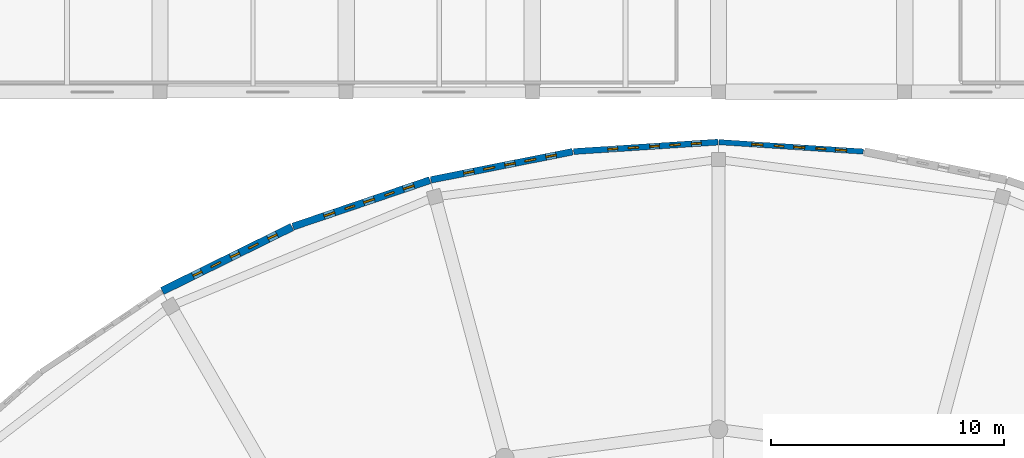
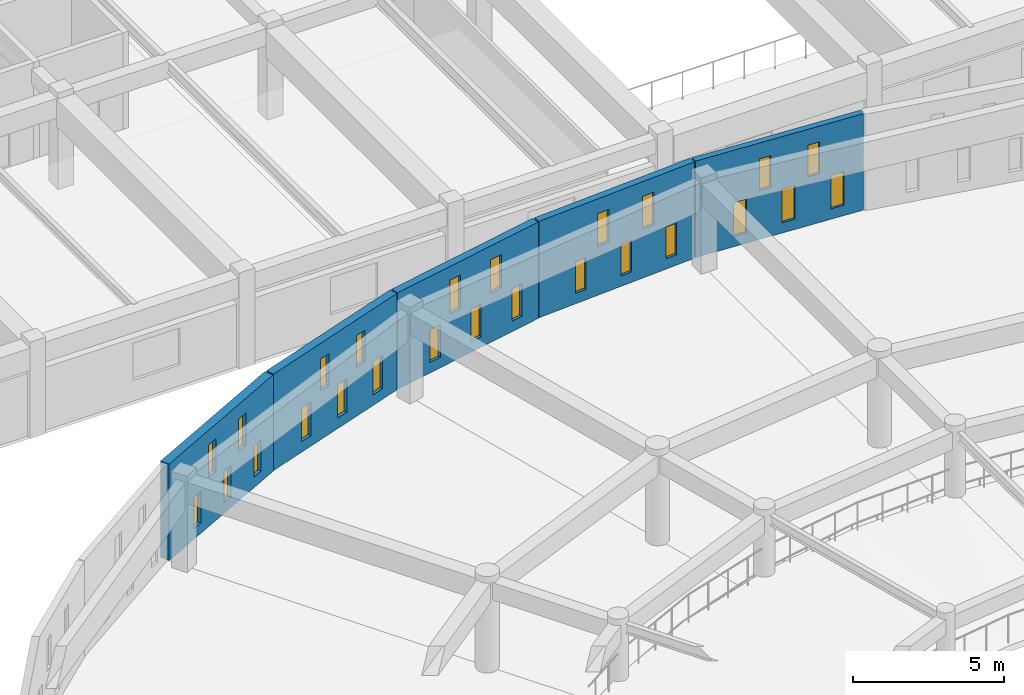
# One storey, part 64 of 98: 25 windows, 5 walls, 25 openings.
"""IFC4 building model written with IfcOpenShell, lengths in metres."""

from ifc_helpers import new_model, si_unit, direction, frame, frame_2d, origin, place, context, subcontext, project, spatial, rectangle, extrude, material, layer, layer_set, type_object, element, fill, save


model = new_model("IFC4")

# Units and contexts
model_context = context("Model", 3, precision=1e-05, world=origin(), true_north=direction((0.0, 1.0)))
body_context = subcontext(model_context, "Body", "Model", "MODEL_VIEW")
ifc_project = project(units=[si_unit("LENGTHUNIT", "METRE"), si_unit("AREAUNIT", "SQUARE_METRE"), si_unit("VOLUMEUNIT", "CUBIC_METRE"), si_unit("PLANEANGLEUNIT", "RADIAN"), si_unit("MASSUNIT", "GRAM", prefix="KILO")], contexts=[model_context])

# Site, building, storey
site_placement = place(None, origin())
site = spatial("IfcSite", under=ifc_project, at=site_placement, CompositionType="ELEMENT")
building_placement = place(site_placement, origin())
building = spatial("IfcBuilding", under=site, at=building_placement, Name="Larkveld Mobility Hub", CompositionType="ELEMENT")
storey_placement = place(building_placement, frame((0.0, 0.0, 4.5)))
storey = spatial("IfcBuildingStorey", under=building, at=storey_placement, Name="L01", CompositionType="ELEMENT", Elevation=4.5)

# Wall, openings, windows
ifc_material_1 = material(Name="Fired clay brick 25 MPa", Category="masonry")
ifc_layer_1 = layer(ifc_material_1, 0.22998046875, Name="Fired clay brick 25 MPa", Category="masonry")
ifc_layer_set_1 = layer_set([ifc_layer_1], Name="Fired clay brick 25 MPa")
wall_type_1 = type_object("IfcWallType", Name="WL-BRK-230", PredefinedType="USERDEFINED", material=ifc_layer_set_1)
wall_1_placement = place(storey_placement, frame((54.221923828125, 95.443115234375, 0.0), z_axis=(0.0, 0.0, 1.0), x_axis=(-0.997874164219, 0.065170180182, 0.0)))
wall_1 = element("IfcWall", 1, at=wall_1_placement, inside=storey, type_object=wall_type_1, Name="Drum Woven Open-Bond Brick Chord L01-0056", ObjectType="PERFORATED BRICK SCREEN", PredefinedType="USERDEFINED", context=body_context, shape_type="SweptSolid", body=[
    extrude(rectangle(XDim=6.211181640625, YDim=0.22998046875, at=frame_2d((3.10546875, 0.0))), origin(), (0.0, 0.0, 1.0), 3.89990234375),
])
opening_1_placement = place(wall_1_placement, frame((0.719970703125, 0.0, 0.419921875)))
opening_1 = element("IfcOpeningElement", 2, at=opening_1_placement, cuts=wall_1, Name="Opening W03", PredefinedType="OPENING", context=body_context, shape_type="SweptSolid", body=[
    extrude(rectangle(XDim=0.47998046875, YDim=1.360107421875, at=frame_2d((0.239990234375, 0.68017578125))), frame((0.0, 0.125, 0.0), z_axis=(0.0, -1.0, 0.0), x_axis=(1.0, 0.0, 0.0)), (0.0, 0.0, 1.0), 0.25),
])
opening_2_placement = place(wall_1_placement, frame((2.52001953125, 0.0, 0.419921875)))
opening_2 = element("IfcOpeningElement", 3, at=opening_2_placement, cuts=wall_1, Name="Opening W03", PredefinedType="OPENING", context=body_context, shape_type="SweptSolid", body=[
    extrude(rectangle(XDim=0.47998046875, YDim=1.360107421875, at=frame_2d((0.239990234375, 0.68017578125))), frame((0.0, 0.125, 0.0), z_axis=(0.0, -1.0, 0.0), x_axis=(1.0, 0.0, 0.0)), (0.0, 0.0, 1.0), 0.25),
])
opening_3_placement = place(wall_1_placement, frame((4.320068359375, 0.0, 0.419921875)))
opening_3 = element("IfcOpeningElement", 4, at=opening_3_placement, cuts=wall_1, Name="Opening W03", PredefinedType="OPENING", context=body_context, shape_type="SweptSolid", body=[
    extrude(rectangle(XDim=0.47998046875, YDim=1.360107421875, at=frame_2d((0.239990234375, 0.68017578125))), frame((0.0, 0.125, 0.0), z_axis=(0.0, -1.0, 0.0), x_axis=(1.0, 0.0, 0.0)), (0.0, 0.0, 1.0), 0.25),
])
opening_4_placement = place(wall_1_placement, frame((1.6201171875, 0.0, 1.97998046875)))
opening_4 = element("IfcOpeningElement", 5, at=opening_4_placement, cuts=wall_1, Name="Opening W01", PredefinedType="OPENING", context=body_context, shape_type="SweptSolid", body=[
    extrude(rectangle(XDim=0.419921875, YDim=1.280029296875, at=frame_2d((0.2099609375, 0.64013671875))), frame((0.0, 0.125, 0.0), z_axis=(0.0, -1.0, 0.0), x_axis=(1.0, 0.0, 0.0)), (0.0, 0.0, 1.0), 0.25),
])
opening_5_placement = place(wall_1_placement, frame((3.419921875, 0.0, 1.97998046875)))
opening_5 = element("IfcOpeningElement", 6, at=opening_5_placement, cuts=wall_1, Name="Opening W01", PredefinedType="OPENING", context=body_context, shape_type="SweptSolid", body=[
    extrude(rectangle(XDim=0.419921875, YDim=1.280029296875, at=frame_2d((0.2099609375, 0.64013671875))), frame((0.0, 0.125, 0.0), z_axis=(0.0, -1.0, 0.0), x_axis=(1.0, 0.0, 0.0)), (0.0, 0.0, 1.0), 0.25),
])
ifc_material_2 = material(Name="Extruded aluminium ventilation grille", Category="aluminium")
window_type_1 = type_object("IfcWindowType", Name="WN-VENT-01", PartitioningType="SINGLE_PANEL", PredefinedType="WINDOW", material=ifc_material_2)
window_1_placement = place(opening_4_placement, origin())
window_1 = element("IfcWindow", 7, at=window_1_placement, inside=storey, type_object=window_type_1, Name="Window W01 (0269)", OverallHeight=1.280029296875, OverallWidth=0.419921875, PartitioningType="SINGLE_PANEL", PredefinedType="WINDOW", context=body_context, shape_type="SweptSolid", body=[
    extrude(rectangle(XDim=0.419921875, YDim=1.280029296875, at=frame_2d((0.2099609375, 0.64013671875))), frame((0.0, 0.030029296875, 0.0), z_axis=(0.0, -1.0, 0.0), x_axis=(1.0, 0.0, 0.0)), (0.0, 0.0, 1.0), 0.06005859375),
])
fill(opening_4, window_1)
window_2_placement = place(opening_5_placement, origin())
window_2 = element("IfcWindow", 8, at=window_2_placement, inside=storey, type_object=window_type_1, Name="Window W01 (0270)", OverallHeight=1.280029296875, OverallWidth=0.419921875, PartitioningType="SINGLE_PANEL", PredefinedType="WINDOW", context=body_context, shape_type="SweptSolid", body=[
    extrude(rectangle(XDim=0.419921875, YDim=1.280029296875, at=frame_2d((0.2099609375, 0.64013671875))), frame((0.0, 0.030029296875, 0.0), z_axis=(0.0, -1.0, 0.0), x_axis=(1.0, 0.0, 0.0)), (0.0, 0.0, 1.0), 0.06005859375),
])
fill(opening_5, window_2)
window_type_2 = type_object("IfcWindowType", Name="WN-VENT-03", PartitioningType="SINGLE_PANEL", PredefinedType="WINDOW", material=ifc_material_2)
window_3_placement = place(opening_1_placement, origin())
window_3 = element("IfcWindow", 9, at=window_3_placement, inside=storey, type_object=window_type_2, Name="Window W03 (0266)", OverallHeight=1.360107421875, OverallWidth=0.47998046875, PartitioningType="SINGLE_PANEL", PredefinedType="WINDOW", context=body_context, shape_type="SweptSolid", body=[
    extrude(rectangle(XDim=0.47998046875, YDim=1.360107421875, at=frame_2d((0.239990234375, 0.68017578125))), frame((0.0, 0.030029296875, 0.0), z_axis=(0.0, -1.0, 0.0), x_axis=(1.0, 0.0, 0.0)), (0.0, 0.0, 1.0), 0.06005859375),
])
fill(opening_1, window_3)
window_4_placement = place(opening_2_placement, origin())
window_4 = element("IfcWindow", 10, at=window_4_placement, inside=storey, type_object=window_type_2, Name="Window W03 (0267)", OverallHeight=1.360107421875, OverallWidth=0.47998046875, PartitioningType="SINGLE_PANEL", PredefinedType="WINDOW", context=body_context, shape_type="SweptSolid", body=[
    extrude(rectangle(XDim=0.47998046875, YDim=1.360107421875, at=frame_2d((0.239990234375, 0.68017578125))), frame((0.0, 0.030029296875, 0.0), z_axis=(0.0, -1.0, 0.0), x_axis=(1.0, 0.0, 0.0)), (0.0, 0.0, 1.0), 0.06005859375),
])
fill(opening_2, window_4)
window_5_placement = place(opening_3_placement, origin())
window_5 = element("IfcWindow", 11, at=window_5_placement, inside=storey, type_object=window_type_2, Name="Window W03 (0268)", OverallHeight=1.360107421875, OverallWidth=0.47998046875, PartitioningType="SINGLE_PANEL", PredefinedType="WINDOW", context=body_context, shape_type="SweptSolid", body=[
    extrude(rectangle(XDim=0.47998046875, YDim=1.360107421875, at=frame_2d((0.239990234375, 0.68017578125))), frame((0.0, 0.030029296875, 0.0), z_axis=(0.0, -1.0, 0.0), x_axis=(1.0, 0.0, 0.0)), (0.0, 0.0, 1.0), 0.06005859375),
])
fill(opening_3, window_5)

ifc_layer_2 = layer(ifc_material_1, 0.260009765625, Name="Fired clay brick 25 MPa", Category="masonry")
ifc_layer_set_2 = layer_set([ifc_layer_2], Name="Fired clay brick 25 MPa")
wall_type_2 = type_object("IfcWallType", Name="WL-BRK-260", PredefinedType="USERDEFINED", material=ifc_layer_set_2)
wall_2_placement = place(storey_placement, frame((47.97607421875, 95.847900390625, 0.0), z_axis=(0.0, 0.0, 1.0), x_axis=(-0.997874164219, -0.065170180182, 0.0)))
wall_2 = element("IfcWall", 12, at=wall_2_placement, inside=storey, type_object=wall_type_2, Name="Drum Woven Open-Bond Brick Chord L01-0057", ObjectType="PERFORATED BRICK SCREEN", PredefinedType="USERDEFINED", context=body_context, shape_type="SweptSolid", body=[
    extrude(rectangle(XDim=6.211181640625, YDim=0.260009765625, at=frame_2d((3.10546875, 0.0))), origin(), (0.0, 0.0, 1.0), 3.89990234375),
])
opening_6_placement = place(wall_2_placement, frame((0.719970703125, 0.0, 0.419921875)))
opening_6 = element("IfcOpeningElement", 13, at=opening_6_placement, cuts=wall_2, Name="Opening W01", PredefinedType="OPENING", context=body_context, shape_type="SweptSolid", body=[
    extrude(rectangle(XDim=0.419921875, YDim=1.280029296875, at=frame_2d((0.2099609375, 0.64013671875))), frame((0.0, 0.14013671875, 0.0), z_axis=(0.0, -1.0, 0.0), x_axis=(1.0, 0.0, 0.0)), (0.0, 0.0, 1.0), 0.280029296875),
])
opening_7_placement = place(wall_2_placement, frame((2.52001953125, 0.0, 0.419921875)))
opening_7 = element("IfcOpeningElement", 14, at=opening_7_placement, cuts=wall_2, Name="Opening W01", PredefinedType="OPENING", context=body_context, shape_type="SweptSolid", body=[
    extrude(rectangle(XDim=0.419921875, YDim=1.280029296875, at=frame_2d((0.2099609375, 0.64013671875))), frame((0.0, 0.14013671875, 0.0), z_axis=(0.0, -1.0, 0.0), x_axis=(1.0, 0.0, 0.0)), (0.0, 0.0, 1.0), 0.280029296875),
])
opening_8_placement = place(wall_2_placement, frame((4.320068359375, 0.0, 0.419921875)))
opening_8 = element("IfcOpeningElement", 15, at=opening_8_placement, cuts=wall_2, Name="Opening W01", PredefinedType="OPENING", context=body_context, shape_type="SweptSolid", body=[
    extrude(rectangle(XDim=0.419921875, YDim=1.280029296875, at=frame_2d((0.2099609375, 0.64013671875))), frame((0.0, 0.14013671875, 0.0), z_axis=(0.0, -1.0, 0.0), x_axis=(1.0, 0.0, 0.0)), (0.0, 0.0, 1.0), 0.280029296875),
])
opening_9_placement = place(wall_2_placement, frame((1.6201171875, 0.0, 1.97998046875)))
opening_9 = element("IfcOpeningElement", 16, at=opening_9_placement, cuts=wall_2, Name="Opening W02", PredefinedType="OPENING", context=body_context, shape_type="SweptSolid", body=[
    extrude(rectangle(XDim=0.449951171875, YDim=1.320068359375, at=frame_2d((0.22509765625, 0.66015625))), frame((0.0, 0.14013671875, 0.0), z_axis=(0.0, -1.0, 0.0), x_axis=(1.0, 0.0, 0.0)), (0.0, 0.0, 1.0), 0.280029296875),
])
opening_10_placement = place(wall_2_placement, frame((3.419921875, 0.0, 1.97998046875)))
opening_10 = element("IfcOpeningElement", 17, at=opening_10_placement, cuts=wall_2, Name="Opening W02", PredefinedType="OPENING", context=body_context, shape_type="SweptSolid", body=[
    extrude(rectangle(XDim=0.449951171875, YDim=1.320068359375, at=frame_2d((0.22509765625, 0.66015625))), frame((0.0, 0.14013671875, 0.0), z_axis=(0.0, -1.0, 0.0), x_axis=(1.0, 0.0, 0.0)), (0.0, 0.0, 1.0), 0.280029296875),
])
window_6_placement = place(opening_6_placement, origin())
window_6 = element("IfcWindow", 18, at=window_6_placement, inside=storey, type_object=window_type_1, Name="Window W01 (0271)", OverallHeight=1.280029296875, OverallWidth=0.419921875, PartitioningType="SINGLE_PANEL", PredefinedType="WINDOW", context=body_context, shape_type="SweptSolid", body=[
    extrude(rectangle(XDim=0.419921875, YDim=1.280029296875, at=frame_2d((0.2099609375, 0.64013671875))), frame((0.0, 0.030029296875, 0.0), z_axis=(0.0, -1.0, 0.0), x_axis=(1.0, 0.0, 0.0)), (0.0, 0.0, 1.0), 0.06005859375),
])
fill(opening_6, window_6)
window_7_placement = place(opening_7_placement, origin())
window_7 = element("IfcWindow", 19, at=window_7_placement, inside=storey, type_object=window_type_1, Name="Window W01 (0272)", OverallHeight=1.280029296875, OverallWidth=0.419921875, PartitioningType="SINGLE_PANEL", PredefinedType="WINDOW", context=body_context, shape_type="SweptSolid", body=[
    extrude(rectangle(XDim=0.419921875, YDim=1.280029296875, at=frame_2d((0.2099609375, 0.64013671875))), frame((0.0, 0.030029296875, 0.0), z_axis=(0.0, -1.0, 0.0), x_axis=(1.0, 0.0, 0.0)), (0.0, 0.0, 1.0), 0.06005859375),
])
fill(opening_7, window_7)
window_8_placement = place(opening_8_placement, origin())
window_8 = element("IfcWindow", 20, at=window_8_placement, inside=storey, type_object=window_type_1, Name="Window W01 (0273)", OverallHeight=1.280029296875, OverallWidth=0.419921875, PartitioningType="SINGLE_PANEL", PredefinedType="WINDOW", context=body_context, shape_type="SweptSolid", body=[
    extrude(rectangle(XDim=0.419921875, YDim=1.280029296875, at=frame_2d((0.2099609375, 0.64013671875))), frame((0.0, 0.030029296875, 0.0), z_axis=(0.0, -1.0, 0.0), x_axis=(1.0, 0.0, 0.0)), (0.0, 0.0, 1.0), 0.06005859375),
])
fill(opening_8, window_8)
window_type_3 = type_object("IfcWindowType", Name="WN-VENT-02", PartitioningType="SINGLE_PANEL", PredefinedType="WINDOW", material=ifc_material_2)
window_9_placement = place(opening_9_placement, origin())
window_9 = element("IfcWindow", 21, at=window_9_placement, inside=storey, type_object=window_type_3, Name="Window W02 (0274)", OverallHeight=1.320068359375, OverallWidth=0.449951171875, PartitioningType="SINGLE_PANEL", PredefinedType="WINDOW", context=body_context, shape_type="SweptSolid", body=[
    extrude(rectangle(XDim=0.449951171875, YDim=1.320068359375, at=frame_2d((0.22509765625, 0.66015625))), frame((0.0, 0.030029296875, 0.0), z_axis=(0.0, -1.0, 0.0), x_axis=(1.0, 0.0, 0.0)), (0.0, 0.0, 1.0), 0.06005859375),
])
fill(opening_9, window_9)
window_10_placement = place(opening_10_placement, origin())
window_10 = element("IfcWindow", 22, at=window_10_placement, inside=storey, type_object=window_type_3, Name="Window W02 (0275)", OverallHeight=1.320068359375, OverallWidth=0.449951171875, PartitioningType="SINGLE_PANEL", PredefinedType="WINDOW", context=body_context, shape_type="SweptSolid", body=[
    extrude(rectangle(XDim=0.449951171875, YDim=1.320068359375, at=frame_2d((0.22509765625, 0.66015625))), frame((0.0, 0.030029296875, 0.0), z_axis=(0.0, -1.0, 0.0), x_axis=(1.0, 0.0, 0.0)), (0.0, 0.0, 1.0), 0.06005859375),
])
fill(opening_10, window_10)

ifc_layer_3 = layer(ifc_material_1, 0.2900390625, Name="Fired clay brick 25 MPa", Category="masonry")
ifc_layer_set_3 = layer_set([ifc_layer_3], Name="Fired clay brick 25 MPa")
wall_type_3 = type_object("IfcWallType", Name="WL-BRK-290", PredefinedType="USERDEFINED", material=ifc_layer_set_3)
wall_3_placement = place(storey_placement, frame((41.72998046875, 95.43603515625, 0.0), z_axis=(0.0, 0.0, 1.0), x_axis=(-0.980799338869, -0.195019632022, 0.0)))
wall_3 = element("IfcWall", 23, at=wall_3_placement, inside=storey, type_object=wall_type_3, Name="Drum Woven Open-Bond Brick Chord L01-0058", ObjectType="PERFORATED BRICK SCREEN", PredefinedType="USERDEFINED", context=body_context, shape_type="SweptSolid", body=[
    extrude(rectangle(XDim=6.209228515625, YDim=0.2900390625, at=frame_2d((3.1044921875, 0.0))), origin(), (0.0, 0.0, 1.0), 3.89990234375),
])
opening_11_placement = place(wall_3_placement, frame((0.719970703125, 0.0, 0.419921875)))
opening_11 = element("IfcOpeningElement", 24, at=opening_11_placement, cuts=wall_3, Name="Opening W02", PredefinedType="OPENING", context=body_context, shape_type="SweptSolid", body=[
    extrude(rectangle(XDim=0.449951171875, YDim=1.320068359375, at=frame_2d((0.22509765625, 0.66015625))), frame((0.0, 0.155029296875, 0.0), z_axis=(0.0, -1.0, 0.0), x_axis=(1.0, 0.0, 0.0)), (0.0, 0.0, 1.0), 0.31005859375),
])
opening_12_placement = place(wall_3_placement, frame((2.52001953125, 0.0, 0.419921875)))
opening_12 = element("IfcOpeningElement", 25, at=opening_12_placement, cuts=wall_3, Name="Opening W02", PredefinedType="OPENING", context=body_context, shape_type="SweptSolid", body=[
    extrude(rectangle(XDim=0.449951171875, YDim=1.320068359375, at=frame_2d((0.22509765625, 0.66015625))), frame((0.0, 0.155029296875, 0.0), z_axis=(0.0, -1.0, 0.0), x_axis=(1.0, 0.0, 0.0)), (0.0, 0.0, 1.0), 0.31005859375),
])
opening_13_placement = place(wall_3_placement, frame((4.320068359375, 0.0, 0.419921875)))
opening_13 = element("IfcOpeningElement", 26, at=opening_13_placement, cuts=wall_3, Name="Opening W02", PredefinedType="OPENING", context=body_context, shape_type="SweptSolid", body=[
    extrude(rectangle(XDim=0.449951171875, YDim=1.320068359375, at=frame_2d((0.22509765625, 0.66015625))), frame((0.0, 0.155029296875, 0.0), z_axis=(0.0, -1.0, 0.0), x_axis=(1.0, 0.0, 0.0)), (0.0, 0.0, 1.0), 0.31005859375),
])
opening_14_placement = place(wall_3_placement, frame((1.6201171875, 0.0, 1.97998046875)))
opening_14 = element("IfcOpeningElement", 27, at=opening_14_placement, cuts=wall_3, Name="Opening W03", PredefinedType="OPENING", context=body_context, shape_type="SweptSolid", body=[
    extrude(rectangle(XDim=0.47998046875, YDim=1.360107421875, at=frame_2d((0.239990234375, 0.68017578125))), frame((0.0, 0.155029296875, 0.0), z_axis=(0.0, -1.0, 0.0), x_axis=(1.0, 0.0, 0.0)), (0.0, 0.0, 1.0), 0.31005859375),
])
opening_15_placement = place(wall_3_placement, frame((3.419921875, 0.0, 1.97998046875)))
opening_15 = element("IfcOpeningElement", 28, at=opening_15_placement, cuts=wall_3, Name="Opening W03", PredefinedType="OPENING", context=body_context, shape_type="SweptSolid", body=[
    extrude(rectangle(XDim=0.47998046875, YDim=1.360107421875, at=frame_2d((0.239990234375, 0.68017578125))), frame((0.0, 0.155029296875, 0.0), z_axis=(0.0, -1.0, 0.0), x_axis=(1.0, 0.0, 0.0)), (0.0, 0.0, 1.0), 0.31005859375),
])
window_11_placement = place(opening_11_placement, origin())
window_11 = element("IfcWindow", 29, at=window_11_placement, inside=storey, type_object=window_type_3, Name="Window W02 (0276)", OverallHeight=1.320068359375, OverallWidth=0.449951171875, PartitioningType="SINGLE_PANEL", PredefinedType="WINDOW", context=body_context, shape_type="SweptSolid", body=[
    extrude(rectangle(XDim=0.449951171875, YDim=1.320068359375, at=frame_2d((0.22509765625, 0.66015625))), frame((0.0, 0.030029296875, 0.0), z_axis=(0.0, -1.0, 0.0), x_axis=(1.0, 0.0, 0.0)), (0.0, 0.0, 1.0), 0.06005859375),
])
fill(opening_11, window_11)
window_12_placement = place(opening_12_placement, origin())
window_12 = element("IfcWindow", 30, at=window_12_placement, inside=storey, type_object=window_type_3, Name="Window W02 (0277)", OverallHeight=1.320068359375, OverallWidth=0.449951171875, PartitioningType="SINGLE_PANEL", PredefinedType="WINDOW", context=body_context, shape_type="SweptSolid", body=[
    extrude(rectangle(XDim=0.449951171875, YDim=1.320068359375, at=frame_2d((0.22509765625, 0.66015625))), frame((0.0, 0.030029296875, 0.0), z_axis=(0.0, -1.0, 0.0), x_axis=(1.0, 0.0, 0.0)), (0.0, 0.0, 1.0), 0.06005859375),
])
fill(opening_12, window_12)
window_13_placement = place(opening_13_placement, origin())
window_13 = element("IfcWindow", 31, at=window_13_placement, inside=storey, type_object=window_type_3, Name="Window W02 (0278)", OverallHeight=1.320068359375, OverallWidth=0.449951171875, PartitioningType="SINGLE_PANEL", PredefinedType="WINDOW", context=body_context, shape_type="SweptSolid", body=[
    extrude(rectangle(XDim=0.449951171875, YDim=1.320068359375, at=frame_2d((0.22509765625, 0.66015625))), frame((0.0, 0.030029296875, 0.0), z_axis=(0.0, -1.0, 0.0), x_axis=(1.0, 0.0, 0.0)), (0.0, 0.0, 1.0), 0.06005859375),
])
fill(opening_13, window_13)
window_14_placement = place(opening_14_placement, origin())
window_14 = element("IfcWindow", 32, at=window_14_placement, inside=storey, type_object=window_type_2, Name="Window W03 (0279)", OverallHeight=1.360107421875, OverallWidth=0.47998046875, PartitioningType="SINGLE_PANEL", PredefinedType="WINDOW", context=body_context, shape_type="SweptSolid", body=[
    extrude(rectangle(XDim=0.47998046875, YDim=1.360107421875, at=frame_2d((0.239990234375, 0.68017578125))), frame((0.0, 0.030029296875, 0.0), z_axis=(0.0, -1.0, 0.0), x_axis=(1.0, 0.0, 0.0)), (0.0, 0.0, 1.0), 0.06005859375),
])
fill(opening_14, window_14)
window_15_placement = place(opening_15_placement, origin())
window_15 = element("IfcWindow", 33, at=window_15_placement, inside=storey, type_object=window_type_2, Name="Window W03 (0280)", OverallHeight=1.360107421875, OverallWidth=0.47998046875, PartitioningType="SINGLE_PANEL", PredefinedType="WINDOW", context=body_context, shape_type="SweptSolid", body=[
    extrude(rectangle(XDim=0.47998046875, YDim=1.360107421875, at=frame_2d((0.239990234375, 0.68017578125))), frame((0.0, 0.030029296875, 0.0), z_axis=(0.0, -1.0, 0.0), x_axis=(1.0, 0.0, 0.0)), (0.0, 0.0, 1.0), 0.06005859375),
])
fill(opening_15, window_15)

ifc_layer_4 = layer(ifc_material_1, 0.31005859375, Name="Fired clay brick 25 MPa", Category="masonry")
ifc_layer_set_4 = layer_set([ifc_layer_4], Name="Fired clay brick 25 MPa")
wall_type_4 = type_object("IfcWallType", Name="WL-BRK-310", PredefinedType="USERDEFINED", material=ifc_layer_set_4)
wall_4_placement = place(storey_placement, frame((35.593017578125, 94.2119140625, 0.0), z_axis=(0.0, 0.0, 1.0), x_axis=(-0.946955417172, -0.321364960579, 0.0)))
wall_4 = element("IfcWall", 34, at=wall_4_placement, inside=storey, type_object=wall_type_4, Name="Drum Woven Open-Bond Brick Chord L01-0059", ObjectType="PERFORATED BRICK SCREEN", PredefinedType="USERDEFINED", context=body_context, shape_type="SweptSolid", body=[
    extrude(rectangle(XDim=6.21044921875, YDim=0.31005859375, at=frame_2d((3.105224609375, 0.0))), origin(), (0.0, 0.0, 1.0), 3.89990234375),
])
opening_16_placement = place(wall_4_placement, frame((0.719970703125, 0.0, 0.419921875)))
opening_16 = element("IfcOpeningElement", 35, at=opening_16_placement, cuts=wall_4, Name="Opening W03", PredefinedType="OPENING", context=body_context, shape_type="SweptSolid", body=[
    extrude(rectangle(XDim=0.47998046875, YDim=1.360107421875, at=frame_2d((0.239990234375, 0.68017578125))), frame((0.0, 0.1650390625, 0.0), z_axis=(0.0, -1.0, 0.0), x_axis=(1.0, 0.0, 0.0)), (0.0, 0.0, 1.0), 0.330078125),
])
opening_17_placement = place(wall_4_placement, frame((2.52001953125, 0.0, 0.419921875)))
opening_17 = element("IfcOpeningElement", 36, at=opening_17_placement, cuts=wall_4, Name="Opening W03", PredefinedType="OPENING", context=body_context, shape_type="SweptSolid", body=[
    extrude(rectangle(XDim=0.47998046875, YDim=1.360107421875, at=frame_2d((0.239990234375, 0.68017578125))), frame((0.0, 0.1650390625, 0.0), z_axis=(0.0, -1.0, 0.0), x_axis=(1.0, 0.0, 0.0)), (0.0, 0.0, 1.0), 0.330078125),
])
opening_18_placement = place(wall_4_placement, frame((4.320068359375, 0.0, 0.419921875)))
opening_18 = element("IfcOpeningElement", 37, at=opening_18_placement, cuts=wall_4, Name="Opening W03", PredefinedType="OPENING", context=body_context, shape_type="SweptSolid", body=[
    extrude(rectangle(XDim=0.47998046875, YDim=1.360107421875, at=frame_2d((0.239990234375, 0.68017578125))), frame((0.0, 0.1650390625, 0.0), z_axis=(0.0, -1.0, 0.0), x_axis=(1.0, 0.0, 0.0)), (0.0, 0.0, 1.0), 0.330078125),
])
opening_19_placement = place(wall_4_placement, frame((1.6201171875, 0.0, 1.97998046875)))
opening_19 = element("IfcOpeningElement", 38, at=opening_19_placement, cuts=wall_4, Name="Opening W01", PredefinedType="OPENING", context=body_context, shape_type="SweptSolid", body=[
    extrude(rectangle(XDim=0.419921875, YDim=1.280029296875, at=frame_2d((0.2099609375, 0.64013671875))), frame((0.0, 0.1650390625, 0.0), z_axis=(0.0, -1.0, 0.0), x_axis=(1.0, 0.0, 0.0)), (0.0, 0.0, 1.0), 0.330078125),
])
opening_20_placement = place(wall_4_placement, frame((3.419921875, 0.0, 1.97998046875)))
opening_20 = element("IfcOpeningElement", 39, at=opening_20_placement, cuts=wall_4, Name="Opening W01", PredefinedType="OPENING", context=body_context, shape_type="SweptSolid", body=[
    extrude(rectangle(XDim=0.419921875, YDim=1.280029296875, at=frame_2d((0.2099609375, 0.64013671875))), frame((0.0, 0.1650390625, 0.0), z_axis=(0.0, -1.0, 0.0), x_axis=(1.0, 0.0, 0.0)), (0.0, 0.0, 1.0), 0.330078125),
])
window_16_placement = place(opening_19_placement, origin())
window_16 = element("IfcWindow", 40, at=window_16_placement, inside=storey, type_object=window_type_1, Name="Window W01 (0284)", OverallHeight=1.280029296875, OverallWidth=0.419921875, PartitioningType="SINGLE_PANEL", PredefinedType="WINDOW", context=body_context, shape_type="SweptSolid", body=[
    extrude(rectangle(XDim=0.419921875, YDim=1.280029296875, at=frame_2d((0.2099609375, 0.64013671875))), frame((0.0, 0.030029296875, 0.0), z_axis=(0.0, -1.0, 0.0), x_axis=(1.0, 0.0, 0.0)), (0.0, 0.0, 1.0), 0.06005859375),
])
fill(opening_19, window_16)
window_17_placement = place(opening_20_placement, origin())
window_17 = element("IfcWindow", 41, at=window_17_placement, inside=storey, type_object=window_type_1, Name="Window W01 (0285)", OverallHeight=1.280029296875, OverallWidth=0.419921875, PartitioningType="SINGLE_PANEL", PredefinedType="WINDOW", context=body_context, shape_type="SweptSolid", body=[
    extrude(rectangle(XDim=0.419921875, YDim=1.280029296875, at=frame_2d((0.2099609375, 0.64013671875))), frame((0.0, 0.030029296875, 0.0), z_axis=(0.0, -1.0, 0.0), x_axis=(1.0, 0.0, 0.0)), (0.0, 0.0, 1.0), 0.06005859375),
])
fill(opening_20, window_17)
window_18_placement = place(opening_16_placement, origin())
window_18 = element("IfcWindow", 42, at=window_18_placement, inside=storey, type_object=window_type_2, Name="Window W03 (0281)", OverallHeight=1.360107421875, OverallWidth=0.47998046875, PartitioningType="SINGLE_PANEL", PredefinedType="WINDOW", context=body_context, shape_type="SweptSolid", body=[
    extrude(rectangle(XDim=0.47998046875, YDim=1.360107421875, at=frame_2d((0.239990234375, 0.68017578125))), frame((0.0, 0.030029296875, 0.0), z_axis=(0.0, -1.0, 0.0), x_axis=(1.0, 0.0, 0.0)), (0.0, 0.0, 1.0), 0.06005859375),
])
fill(opening_16, window_18)
window_19_placement = place(opening_17_placement, origin())
window_19 = element("IfcWindow", 43, at=window_19_placement, inside=storey, type_object=window_type_2, Name="Window W03 (0282)", OverallHeight=1.360107421875, OverallWidth=0.47998046875, PartitioningType="SINGLE_PANEL", PredefinedType="WINDOW", context=body_context, shape_type="SweptSolid", body=[
    extrude(rectangle(XDim=0.47998046875, YDim=1.360107421875, at=frame_2d((0.239990234375, 0.68017578125))), frame((0.0, 0.030029296875, 0.0), z_axis=(0.0, -1.0, 0.0), x_axis=(1.0, 0.0, 0.0)), (0.0, 0.0, 1.0), 0.06005859375),
])
fill(opening_17, window_19)
window_20_placement = place(opening_18_placement, origin())
window_20 = element("IfcWindow", 44, at=window_20_placement, inside=storey, type_object=window_type_2, Name="Window W03 (0283)", OverallHeight=1.360107421875, OverallWidth=0.47998046875, PartitioningType="SINGLE_PANEL", PredefinedType="WINDOW", context=body_context, shape_type="SweptSolid", body=[
    extrude(rectangle(XDim=0.47998046875, YDim=1.360107421875, at=frame_2d((0.239990234375, 0.68017578125))), frame((0.0, 0.030029296875, 0.0), z_axis=(0.0, -1.0, 0.0), x_axis=(1.0, 0.0, 0.0)), (0.0, 0.0, 1.0), 0.06005859375),
])
fill(opening_18, window_20)

ifc_layer_5 = layer(ifc_material_1, 0.340087890625, Name="Fired clay brick 25 MPa", Category="masonry")
ifc_layer_set_5 = layer_set([ifc_layer_5], Name="Fired clay brick 25 MPa")
wall_type_5 = type_object("IfcWallType", Name="WL-BRK-340", PredefinedType="USERDEFINED", material=ifc_layer_set_5)
wall_5_placement = place(storey_placement, frame((29.6669921875, 92.197021484375, 0.0), z_axis=(0.0, 0.0, 1.0), x_axis=(-0.896858908126, -0.442316740488, 0.0)))
wall_5 = element("IfcWall", 45, at=wall_5_placement, inside=storey, type_object=wall_type_5, Name="Drum Woven Open-Bond Brick Chord L01-0060", ObjectType="PERFORATED BRICK SCREEN", PredefinedType="USERDEFINED", context=body_context, shape_type="SweptSolid", body=[
    extrude(rectangle(XDim=6.210693359375, YDim=0.340087890625, at=frame_2d((3.10546875, 0.0))), origin(), (0.0, 0.0, 1.0), 3.89990234375),
])
opening_21_placement = place(wall_5_placement, frame((0.719970703125, 0.0, 0.419921875)))
opening_21 = element("IfcOpeningElement", 46, at=opening_21_placement, cuts=wall_5, Name="Opening W01", PredefinedType="OPENING", context=body_context, shape_type="SweptSolid", body=[
    extrude(rectangle(XDim=0.419921875, YDim=1.280029296875, at=frame_2d((0.2099609375, 0.64013671875))), frame((0.0, 0.18017578125, 0.0), z_axis=(0.0, -1.0, 0.0), x_axis=(1.0, 0.0, 0.0)), (0.0, 0.0, 1.0), 0.360107421875),
])
opening_22_placement = place(wall_5_placement, frame((2.52001953125, 0.0, 0.419921875)))
opening_22 = element("IfcOpeningElement", 47, at=opening_22_placement, cuts=wall_5, Name="Opening W01", PredefinedType="OPENING", context=body_context, shape_type="SweptSolid", body=[
    extrude(rectangle(XDim=0.419921875, YDim=1.280029296875, at=frame_2d((0.2099609375, 0.64013671875))), frame((0.0, 0.18017578125, 0.0), z_axis=(0.0, -1.0, 0.0), x_axis=(1.0, 0.0, 0.0)), (0.0, 0.0, 1.0), 0.360107421875),
])
opening_23_placement = place(wall_5_placement, frame((4.320068359375, 0.0, 0.419921875)))
opening_23 = element("IfcOpeningElement", 48, at=opening_23_placement, cuts=wall_5, Name="Opening W01", PredefinedType="OPENING", context=body_context, shape_type="SweptSolid", body=[
    extrude(rectangle(XDim=0.419921875, YDim=1.280029296875, at=frame_2d((0.2099609375, 0.64013671875))), frame((0.0, 0.18017578125, 0.0), z_axis=(0.0, -1.0, 0.0), x_axis=(1.0, 0.0, 0.0)), (0.0, 0.0, 1.0), 0.360107421875),
])
opening_24_placement = place(wall_5_placement, frame((1.6201171875, 0.0, 1.97998046875)))
opening_24 = element("IfcOpeningElement", 49, at=opening_24_placement, cuts=wall_5, Name="Opening W02", PredefinedType="OPENING", context=body_context, shape_type="SweptSolid", body=[
    extrude(rectangle(XDim=0.449951171875, YDim=1.320068359375, at=frame_2d((0.22509765625, 0.66015625))), frame((0.0, 0.18017578125, 0.0), z_axis=(0.0, -1.0, 0.0), x_axis=(1.0, 0.0, 0.0)), (0.0, 0.0, 1.0), 0.360107421875),
])
opening_25_placement = place(wall_5_placement, frame((3.419921875, 0.0, 1.97998046875)))
opening_25 = element("IfcOpeningElement", 50, at=opening_25_placement, cuts=wall_5, Name="Opening W02", PredefinedType="OPENING", context=body_context, shape_type="SweptSolid", body=[
    extrude(rectangle(XDim=0.449951171875, YDim=1.320068359375, at=frame_2d((0.22509765625, 0.66015625))), frame((0.0, 0.18017578125, 0.0), z_axis=(0.0, -1.0, 0.0), x_axis=(1.0, 0.0, 0.0)), (0.0, 0.0, 1.0), 0.360107421875),
])
window_21_placement = place(opening_21_placement, origin())
window_21 = element("IfcWindow", 51, at=window_21_placement, inside=storey, type_object=window_type_1, Name="Window W01 (0286)", OverallHeight=1.280029296875, OverallWidth=0.419921875, PartitioningType="SINGLE_PANEL", PredefinedType="WINDOW", context=body_context, shape_type="SweptSolid", body=[
    extrude(rectangle(XDim=0.419921875, YDim=1.280029296875, at=frame_2d((0.2099609375, 0.64013671875))), frame((0.0, 0.030029296875, 0.0), z_axis=(0.0, -1.0, 0.0), x_axis=(1.0, 0.0, 0.0)), (0.0, 0.0, 1.0), 0.06005859375),
])
fill(opening_21, window_21)
window_22_placement = place(opening_22_placement, origin())
window_22 = element("IfcWindow", 52, at=window_22_placement, inside=storey, type_object=window_type_1, Name="Window W01 (0287)", OverallHeight=1.280029296875, OverallWidth=0.419921875, PartitioningType="SINGLE_PANEL", PredefinedType="WINDOW", context=body_context, shape_type="SweptSolid", body=[
    extrude(rectangle(XDim=0.419921875, YDim=1.280029296875, at=frame_2d((0.2099609375, 0.64013671875))), frame((0.0, 0.030029296875, 0.0), z_axis=(0.0, -1.0, 0.0), x_axis=(1.0, 0.0, 0.0)), (0.0, 0.0, 1.0), 0.06005859375),
])
fill(opening_22, window_22)
window_23_placement = place(opening_23_placement, origin())
window_23 = element("IfcWindow", 53, at=window_23_placement, inside=storey, type_object=window_type_1, Name="Window W01 (0288)", OverallHeight=1.280029296875, OverallWidth=0.419921875, PartitioningType="SINGLE_PANEL", PredefinedType="WINDOW", context=body_context, shape_type="SweptSolid", body=[
    extrude(rectangle(XDim=0.419921875, YDim=1.280029296875, at=frame_2d((0.2099609375, 0.64013671875))), frame((0.0, 0.030029296875, 0.0), z_axis=(0.0, -1.0, 0.0), x_axis=(1.0, 0.0, 0.0)), (0.0, 0.0, 1.0), 0.06005859375),
])
fill(opening_23, window_23)
window_24_placement = place(opening_24_placement, origin())
window_24 = element("IfcWindow", 54, at=window_24_placement, inside=storey, type_object=window_type_3, Name="Window W02 (0289)", OverallHeight=1.320068359375, OverallWidth=0.449951171875, PartitioningType="SINGLE_PANEL", PredefinedType="WINDOW", context=body_context, shape_type="SweptSolid", body=[
    extrude(rectangle(XDim=0.449951171875, YDim=1.320068359375, at=frame_2d((0.22509765625, 0.66015625))), frame((0.0, 0.030029296875, 0.0), z_axis=(0.0, -1.0, 0.0), x_axis=(1.0, 0.0, 0.0)), (0.0, 0.0, 1.0), 0.06005859375),
])
fill(opening_24, window_24)
window_25_placement = place(opening_25_placement, origin())
window_25 = element("IfcWindow", 55, at=window_25_placement, inside=storey, type_object=window_type_3, Name="Window W02 (0290)", OverallHeight=1.320068359375, OverallWidth=0.449951171875, PartitioningType="SINGLE_PANEL", PredefinedType="WINDOW", context=body_context, shape_type="SweptSolid", body=[
    extrude(rectangle(XDim=0.449951171875, YDim=1.320068359375, at=frame_2d((0.22509765625, 0.66015625))), frame((0.0, 0.030029296875, 0.0), z_axis=(0.0, -1.0, 0.0), x_axis=(1.0, 0.0, 0.0)), (0.0, 0.0, 1.0), 0.06005859375),
])
fill(opening_25, window_25)

save(model, "model.ifc")
